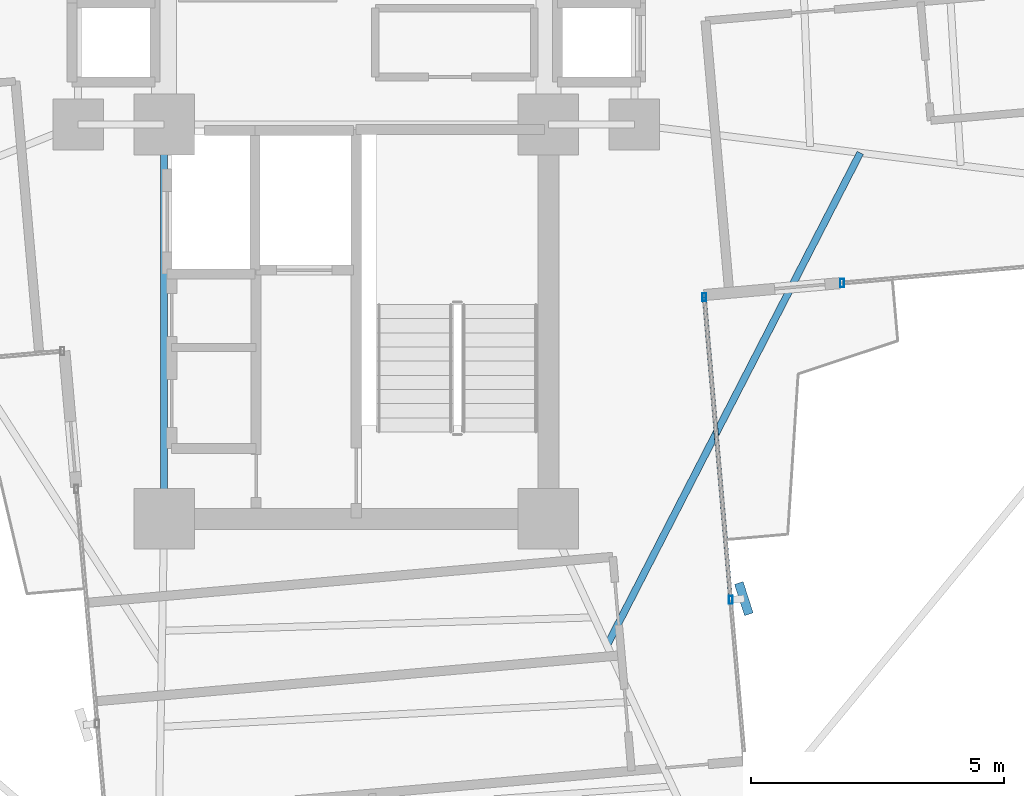
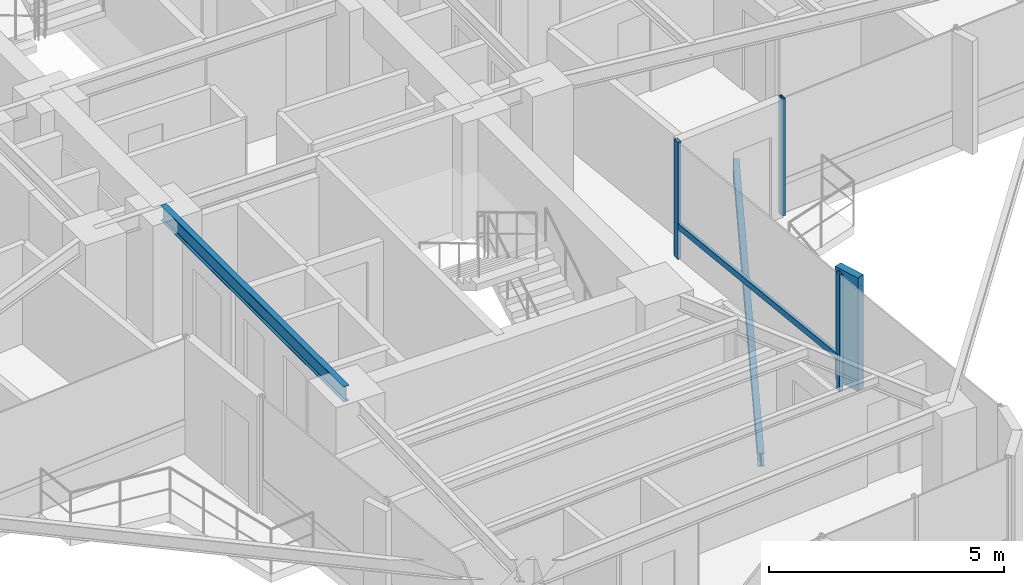
# One storey, part 7 of 24: 5 members, 2 beams, 2 elements without a shape of their own.
"""IFC4 building model written with IfcOpenShell, lengths in metres."""

import ifcopenshell
import ifcopenshell.guid

model = None  # the IFC model being written
_history = None  # IfcOwnerHistory: only IFC2X3 demands one
_inside = {}  # id of a spatial element -> (the spatial element, [elements in it])
_under = {}  # id of a project, library or spatial element -> (it, [spatial elements below it])
_declared = {}  # id of a project -> (the project, [libraries it declares])
_typed = {}  # id of a type object -> (the type object, [elements of that type])
_made_of = {}  # id of a material, layer set ... -> (it, [elements and type objects made of it])


def new_model(schema):
    """Start an empty IFC model of exactly this schema.

    Asked for "IFC4X3", IfcOpenShell would pick the latest addendum, in which some entities
    have other attributes; the version numbers below select the first issue.
    IFC2X3 requires an IfcOwnerHistory on every rooted entity: one is made here for all.
    """
    global model, _history
    if schema == "IFC4X3":
        model = ifcopenshell.file(schema_version=(4, 3, 0, 0))
    else:
        model = ifcopenshell.file(schema=schema)
    _inside.clear()
    _under.clear()
    _declared.clear()
    _typed.clear()
    _made_of.clear()
    _history = None
    if model.schema == "IFC2X3":
        org = make("IfcOrganization", Name="unknown")
        user = make(
            "IfcPersonAndOrganization",
            ThePerson=make("IfcPerson", FamilyName="unknown"),
            TheOrganization=org,
        )
        app = make(
            "IfcApplication",
            ApplicationDeveloper=org,
            Version="unknown",
            ApplicationFullName="unknown",
            ApplicationIdentifier="unknown",
        )
        _history = make(
            "IfcOwnerHistory",
            OwningUser=user,
            OwningApplication=app,
            ChangeAction="ADDED",
            CreationDate=0,
        )
    return model


def make(cls, **values):
    """One entity of the class cls with the attributes given. An attribute that is None is left unset."""
    return model.create_entity(
        cls, **{name: value for name, value in values.items() if value is not None}
    )


def rooted(cls, **values):
    """An entity with a GlobalId (a new one), such as an element, a storey or a relation."""
    return make(cls, GlobalId=ifcopenshell.guid.new(), OwnerHistory=_history, **values)


def si_unit(unit_type, name, prefix=None):
    """IfcSIUnit, for example si_unit("LENGTHUNIT", "METRE", prefix="MILLI")."""
    return make("IfcSIUnit", UnitType=unit_type, Prefix=prefix, Name=name)


def assignment(units):
    """IfcUnitAssignment: the units of a project."""
    return None if units is None else make("IfcUnitAssignment", Units=units)


def point(xyz):
    """IfcCartesianPoint."""
    return None if xyz is None else make("IfcCartesianPoint", Coordinates=xyz)


def direction(xyz):
    """IfcDirection."""
    return None if xyz is None else make("IfcDirection", DirectionRatios=xyz)


def frame(location, z_axis=None, x_axis=None):
    """IfcAxis2Placement3D, a coordinate frame: its origin and axes. An axis left out is left unset."""
    return make(
        "IfcAxis2Placement3D",
        Location=point(location),
        Axis=direction(z_axis),
        RefDirection=direction(x_axis),
    )


def frame_2d(location, x_axis=None):
    """IfcAxis2Placement2D, a coordinate frame in the plane: its origin and x axis."""
    return make(
        "IfcAxis2Placement2D", Location=point(location), RefDirection=direction(x_axis)
    )


def origin():
    """The frame at (0, 0, 0) with its axes left unset."""
    return frame((0.0, 0.0, 0.0))


def origin_2d():
    """The frame at (0, 0) in the plane with its x axis left unset."""
    return frame_2d((0.0, 0.0))


def place(relative_to, where):
    """IfcLocalPlacement: puts the frame where relative to a parent placement (None: the world)."""
    return make(
        "IfcLocalPlacement", PlacementRelTo=relative_to, RelativePlacement=where
    )


def context(
    kind, dimensions, precision=None, world=None, true_north=None, identifier=None
):
    """IfcGeometricRepresentationContext, for example the 3D "Model" context."""
    return make(
        "IfcGeometricRepresentationContext",
        ContextIdentifier=identifier,
        ContextType=kind,
        CoordinateSpaceDimension=dimensions,
        Precision=precision,
        WorldCoordinateSystem=world,
        TrueNorth=true_north,
    )


def subcontext(parent, identifier, kind, view, scale=None):
    """IfcGeometricRepresentationSubContext, for example "Body" below "Model"."""
    return make(
        "IfcGeometricRepresentationSubContext",
        ContextIdentifier=identifier,
        ContextType=kind,
        ParentContext=parent,
        TargetScale=scale,
        TargetView=view,
    )


def project(units=None, contexts=None):
    """IfcProject with its units and contexts."""
    return rooted(
        "IfcProject",
        Name="project",
        RepresentationContexts=contexts,
        UnitsInContext=assignment(units),
    )


def spatial(cls, under=None, at=None, **own):
    """A site, building, storey or space (cls), placed at a placement, below another one or the project."""
    s = rooted(cls, ObjectPlacement=at, **own)
    if under is not None:
        _under.setdefault(under.id(), (under, []))[1].append(s)
    return s


def profile(cls, at=None, kind="AREA", **sizes):
    """A parametric profile (cls). Its sizes go by their IFC names, for example OverallWidth=200.0."""
    return make(cls, ProfileType=kind, Position=at, **sizes)


def rectangle(**sizes):
    """IfcRectangleProfileDef."""
    return profile("IfcRectangleProfileDef", **sizes)


def hollow_rectangle(**sizes):
    """IfcRectangleHollowProfileDef."""
    return profile("IfcRectangleHollowProfileDef", **sizes)


def i_section(**sizes):
    """IfcIShapeProfileDef."""
    return profile("IfcIShapeProfileDef", **sizes)


def extrude(swept, where, along, depth):
    """IfcExtrudedAreaSolid: the profile swept, set in the frame where, extruded along a direction by depth."""
    return make(
        "IfcExtrudedAreaSolid",
        SweptArea=swept,
        Position=where,
        ExtrudedDirection=direction(along),
        Depth=depth,
    )


def shape(context_of_items, identifier, shape_type, items):
    """IfcShapeRepresentation: the items that make up one representation, for example the "Body"."""
    return make(
        "IfcShapeRepresentation",
        ContextOfItems=context_of_items,
        RepresentationIdentifier=identifier,
        RepresentationType=shape_type,
        Items=items,
    )


def source(mapping_origin, context_of_items, identifier, shape_type, items):
    """IfcRepresentationMap: a shape defined once, which mapped items show again and again."""
    return make(
        "IfcRepresentationMap",
        MappingOrigin=mapping_origin,
        MappedRepresentation=shape(context_of_items, identifier, shape_type, items),
    )


def transform(
    local_origin,
    x_axis=None,
    y_axis=None,
    z_axis=None,
    scale=None,
    scale2=None,
    scale3=None,
    uniform=True,
):
    """IfcCartesianTransformationOperator3D, or its non-uniform kind. x_axis, y_axis, z_axis: its Axis1, 2, 3."""
    if uniform:
        return make(
            "IfcCartesianTransformationOperator3D",
            Axis1=direction(x_axis),
            Axis2=direction(y_axis),
            LocalOrigin=point(local_origin),
            Scale=scale,
            Axis3=direction(z_axis),
        )
    return make(
        "IfcCartesianTransformationOperator3DnonUniform",
        Axis1=direction(x_axis),
        Axis2=direction(y_axis),
        LocalOrigin=point(local_origin),
        Scale=scale,
        Axis3=direction(z_axis),
        Scale2=scale2,
        Scale3=scale3,
    )


def mapped(mapping_source, mapping_target):
    """IfcMappedItem: shows the shape of a source again, moved by a transform."""
    return make(
        "IfcMappedItem", MappingSource=mapping_source, MappingTarget=mapping_target
    )


def material(Name=None, Category=None):
    """IfcMaterial."""
    return make("IfcMaterial", Name=Name, Category=Category)


def material_profile(
    of_material, cross_section, Name=None, Category=None, Priority=None
):
    """IfcMaterialProfile: a cross section and its material."""
    return make(
        "IfcMaterialProfile",
        Name=Name,
        Material=of_material,
        Profile=cross_section,
        Priority=Priority,
        Category=Category,
    )


def profile_set(profiles, Name=None, composite=None):
    """IfcMaterialProfileSet."""
    return make(
        "IfcMaterialProfileSet",
        Name=Name,
        MaterialProfiles=profiles,
        CompositeProfile=composite,
    )


def made_of(thing, what):
    """Note that an element or type object is made of a material, layer set ...; save() writes the relation."""
    if what is not None:
        _made_of.setdefault(what.id(), (what, []))[1].append(thing)
    return thing


def type_object(cls, material=None, **own):
    """A type object (cls), such as IfcWallType, which elements share."""
    return made_of(rooted(cls, **own), material)


def element(
    cls,
    number,
    at=None,
    inside=None,
    cuts=None,
    type_object=None,
    material=None,
    context=None,
    identifier="Body",
    shape_type=None,
    held_by="IfcProductDefinitionShape",
    body=None,
    shapes=None,
    **own,
):
    """One element of the class cls, such as IfcWall. Its Tag is "e" and its number.

    at: its placement. inside: the storey or other place that contains it. cuts: it is an
    opening in that element (IfcRelVoidsElement). A single representation is given by context,
    identifier, shape_type and body (its items); several are given by shapes. held_by: the class
    of the entity that holds the representations. save() writes the other relations.
    """
    e = rooted(cls, Tag="e%d" % number, ObjectPlacement=at, **own)
    if body is not None:
        shapes = [shape(context, identifier, shape_type, body)]
    if shapes is not None:
        e.Representation = make(held_by, Representations=shapes)
    if inside is not None:
        _inside.setdefault(inside.id(), (inside, []))[1].append(e)
    if cuts is not None:
        rooted(
            "IfcRelVoidsElement", RelatingBuildingElement=cuts, RelatedOpeningElement=e
        )
    if type_object is not None:
        _typed.setdefault(type_object.id(), (type_object, []))[1].append(e)
    return made_of(e, material)


def aggregate(whole, parts):
    """IfcRelAggregates: a whole, such as a stair, and the parts it consists of."""
    return rooted("IfcRelAggregates", RelatingObject=whole, RelatedObjects=parts)


def save(model, path):
    """Write the relations noted so far, then the file.

    IfcRelAggregates (storeys below a building ...), IfcRelContainedInSpatialStructure (elements
    in a storey), IfcRelDefinesByType, IfcRelAssociatesMaterial and IfcRelDeclares: one each for
    every whole, place, type object, material and project.
    """
    for whole, parts in _under.values():
        aggregate(whole, parts)
    for where, things in _inside.values():
        rooted(
            "IfcRelContainedInSpatialStructure",
            RelatedElements=things,
            RelatingStructure=where,
        )
    for kind, things in _typed.values():
        rooted("IfcRelDefinesByType", RelatedObjects=things, RelatingType=kind)
    for what, things in _made_of.values():
        rooted("IfcRelAssociatesMaterial", RelatedObjects=things, RelatingMaterial=what)
    for by, libraries in _declared.values():
        rooted("IfcRelDeclares", RelatingContext=by, RelatedDefinitions=libraries)
    model.write(path)


model = new_model("IFC4")

# Units and contexts
model_context = context("Model", 3, precision=1e-05, world=origin(), true_north=direction((0.0, 1.0)))
body_context = subcontext(model_context, "Body", "Model", "MODEL_VIEW")
ifc_project = project(units=[si_unit("LENGTHUNIT", "METRE"), si_unit("AREAUNIT", "SQUARE_METRE"), si_unit("VOLUMEUNIT", "CUBIC_METRE"), si_unit("PLANEANGLEUNIT", "RADIAN"), si_unit("MASSUNIT", "GRAM", prefix="KILO")], contexts=[model_context])

# Site, building, storey
site_placement = place(None, origin())
site = spatial("IfcSite", under=ifc_project, at=site_placement, CompositionType="ELEMENT")
building_placement = place(site_placement, origin())
building = spatial("IfcBuilding", under=site, at=building_placement, Name="Sahyath Konkavel Grand Hotel", CompositionType="ELEMENT")
storey_placement = place(building_placement, frame((0.0, 0.0, 167.35009765625)))
storey = spatial("IfcBuildingStorey", under=building, at=storey_placement, Name="L46", CompositionType="ELEMENT", Elevation=167.35009765625)

# Beam
ifc_material_1 = material(Name="Steel E350", Category="steel")
ifc_material_profile_1 = material_profile(ifc_material_1, i_section(OverallWidth=0.139892578125, OverallDepth=0.39990234375, WebThickness=0.0087890625, FlangeThickness=0.01611328125, FilletRadius=0.013916015625, at=origin_2d()), Name="ISMB 400")
ifc_profile_set_1 = profile_set([ifc_material_profile_1], Name="Steel E350")
beam_type_1 = type_object("IfcBeamType", Name="BM-ISMB400", PredefinedType="BEAM", material=ifc_profile_set_1)
shared_shape_1 = source(origin(), body_context, "Body", "SweptSolid", [
    extrude(i_section(OverallWidth=0.139892578125, OverallDepth=0.39990234375, WebThickness=0.0087890625, FlangeThickness=0.01611328125, FilletRadius=0.013916015625, at=origin_2d()), origin(), (0.0, 0.0, 1.0), 7.800048828125),
])
beam_1_placement = place(storey_placement, frame((-3.800048828125, -10.199951171875, 2.849853515625), z_axis=(0.0, 1.0, 0.0), x_axis=(-1.0, 0.0, 0.0)))
element("IfcBeam", 1, at=beam_1_placement, inside=storey, type_object=beam_type_1, Name="str:bm:L46:SC-W", PredefinedType="BEAM", context=body_context, shape_type="MappedRepresentation", body=[
    mapped(shared_shape_1, transform((0.0, 0.0, 0.0), scale=1.0)),
])

# Curtain wall, member
ifc_material_2 = material(Name="Anodised Bronze Aluminium & Low-E Glazing", Category="aluminium")
curtain_wall_type = type_object("IfcCurtainWallType", Name="CW-ZONE3", PredefinedType="NOTDEFINED", material=ifc_material_2)
curtain_wall_1_placement = place(storey_placement, origin())
curtain_wall_1 = element("IfcCurtainWall", 2, at=curtain_wall_1_placement, inside=storey, type_object=curtain_wall_type, Name="L46 Unitised Curtain Wall F0", PredefinedType="NOTDEFINED")
ifc_material_3 = material(Name="Anodised Bronze Aluminium", Category="aluminium")
ifc_material_profile_2 = material_profile(ifc_material_3, hollow_rectangle(XDim=0.080078125, YDim=0.159912109375, WallThickness=0.006103515625, at=origin_2d()), Name="RHS 160x80x6")
ifc_profile_set_2 = profile_set([ifc_material_profile_2], Name="Anodised Bronze Aluminium")
member_type_1 = type_object("IfcMemberType", Name="CW-MUL-160", PredefinedType="MULLION", material=ifc_profile_set_2)
shared_shape_2 = source(origin(), body_context, "Body", "SweptSolid", [
    extrude(hollow_rectangle(XDim=0.080078125, YDim=0.159912109375, WallThickness=0.006103515625, at=origin_2d()), origin(), (0.0, 0.0, 1.0), 3.0498046875),
])
member_1_placement = place(storey_placement, frame((9.60888671875, -5.53369140625, 0.0), z_axis=(0.0, 0.0, 1.0), x_axis=(1.0, 0.0, 0.0)))
member_1 = element("IfcMember", 3, at=member_1_placement, type_object=member_type_1, Name="L46 Curtain Wall Mullion F0-0", PredefinedType="MULLION", context=body_context, shape_type="MappedRepresentation", body=[
    mapped(shared_shape_2, transform((0.0, 0.0, 0.0), scale=1.0)),
])
aggregate(curtain_wall_1, [member_1])

# Curtain wall, members
curtain_wall_2_placement = place(storey_placement, origin())
curtain_wall_2 = element("IfcCurtainWall", 4, at=curtain_wall_2_placement, inside=storey, type_object=curtain_wall_type, Name="L46 Unitised Curtain Wall F31", PredefinedType="NOTDEFINED")
member_2_placement = place(storey_placement, frame((7.406494140625, -11.79931640625, 0.0), z_axis=(0.0, 0.0, 1.0), x_axis=(1.0, 0.0, 0.0)))
member_2 = element("IfcMember", 5, at=member_2_placement, type_object=member_type_1, Name="L46 Curtain Wall Mullion F31-1", PredefinedType="MULLION", context=body_context, shape_type="MappedRepresentation", body=[
    mapped(shared_shape_2, transform((0.0, 0.0, 0.0), scale=1.0)),
])
member_3_placement = place(storey_placement, frame((6.8828125, -5.812255859375, 0.0), z_axis=(0.0, 0.0, 1.0), x_axis=(1.0, 0.0, 0.0)))
member_3 = element("IfcMember", 6, at=member_3_placement, type_object=member_type_1, Name="L46 Curtain Wall Mullion F31-2", PredefinedType="MULLION", context=body_context, shape_type="MappedRepresentation", body=[
    mapped(shared_shape_2, transform((0.0, 0.0, 0.0), scale=1.0)),
])
ifc_material_4 = material(Name="Warm Buff Sandstone Cladding on Concrete C50/60", Category="masonry")
ifc_material_profile_3 = material_profile(ifc_material_4, rectangle(XDim=0.179931640625, YDim=0.64990234375, at=origin_2d()), Name="FIN 180x650")
ifc_profile_set_3 = profile_set([ifc_material_profile_3], Name="Warm Buff Sandstone Cladding on Concrete C50/60")
member_type_2 = type_object("IfcMemberType", Name="FIN-SANDSTONE-650", PredefinedType="MULLION", material=ifc_profile_set_3)
shared_shape_3 = source(origin(), body_context, "Body", "SweptSolid", [
    extrude(rectangle(XDim=0.179931640625, YDim=0.64990234375, at=origin_2d()), origin(), (0.0, 0.0, 1.0), 2.9501953125),
])
member_4_placement = place(storey_placement, frame((7.66552734375, -11.776611328125, 0.0498046875), z_axis=(0.0, 0.0, 1.0), x_axis=(0.952022626946, 0.306027642189, 0.0)))
member_4 = element("IfcMember", 7, at=member_4_placement, type_object=member_type_2, Name="L46 Sandstone Vertical Solar Fin FIN F31-1", PredefinedType="MULLION", context=body_context, shape_type="MappedRepresentation", body=[
    mapped(shared_shape_3, transform((0.0, 0.0, 0.0), scale=1.0)),
])
ifc_material_profile_4 = material_profile(ifc_material_3, hollow_rectangle(XDim=0.080078125, YDim=0.159912109375, WallThickness=0.006103515625, at=origin_2d()), Name="RHS 160x80x6")
ifc_profile_set_4 = profile_set([ifc_material_profile_4], Name="Anodised Bronze Aluminium")
member_type_3 = type_object("IfcMemberType", Name="CW-TRN-160", PredefinedType="USERDEFINED", material=ifc_profile_set_4)
shared_shape_4 = source(origin(), body_context, "Body", "SweptSolid", [
    extrude(hollow_rectangle(XDim=0.080078125, YDim=0.159912109375, WallThickness=0.006103515625, at=origin_2d()), origin(), (0.0, 0.0, 1.0), 6.010009765625),
])
member_5_placement = place(storey_placement, frame((7.406494140625, -11.79931640625, 0.849853515625), z_axis=(-0.087136210597, 0.996196406741, 0.0), x_axis=(-0.996196406741, -0.087136210597, 0.0)))
member_5 = element("IfcMember", 8, at=member_5_placement, type_object=member_type_3, Name="L46 Curtain Wall Transom F31-1-spandrel", ObjectType="TRANSOM", PredefinedType="USERDEFINED", context=body_context, shape_type="MappedRepresentation", body=[
    mapped(shared_shape_4, transform((0.0, 0.0, 0.0), scale=1.0)),
])
aggregate(curtain_wall_2, [member_2, member_4, member_3, member_5])

# Beam
ifc_material_profile_5 = material_profile(ifc_material_1, i_section(OverallWidth=0.139892578125, OverallDepth=0.35009765625, WebThickness=0.008056640625, FlangeThickness=0.01416015625, FilletRadius=0.013916015625, at=origin_2d()), Name="ISMB 350")
ifc_profile_set_5 = profile_set([ifc_material_profile_5], Name="Steel E350")
beam_type_2 = type_object("IfcBeamType", Name="BM-BALC-CANT", PredefinedType="BEAM", material=ifc_profile_set_5)
shared_shape_5 = source(origin(), body_context, "Body", "SweptSolid", [
    extrude(i_section(OverallWidth=0.139892578125, OverallDepth=0.35009765625, WebThickness=0.008056640625, FlangeThickness=0.01416015625, FilletRadius=0.013916015625, at=origin_2d()), origin(), (0.0, 0.0, 1.0), 10.95556640625),
])
beam_2_placement = place(storey_placement, frame((4.959716796875, -12.703125, -0.4150390625), z_axis=(0.457186878355, 0.889370652912, 0.0), x_axis=(-0.889370652912, 0.457186878355, 0.0)))
element("IfcBeam", 9, at=beam_2_placement, inside=storey, type_object=beam_type_2, Name="L46 Balcony Cantilever Support Beam SE", PredefinedType="BEAM", context=body_context, shape_type="MappedRepresentation", body=[
    mapped(shared_shape_5, transform((0.0, 0.0, 0.0), scale=1.0)),
])

save(model, "model.ifc")
